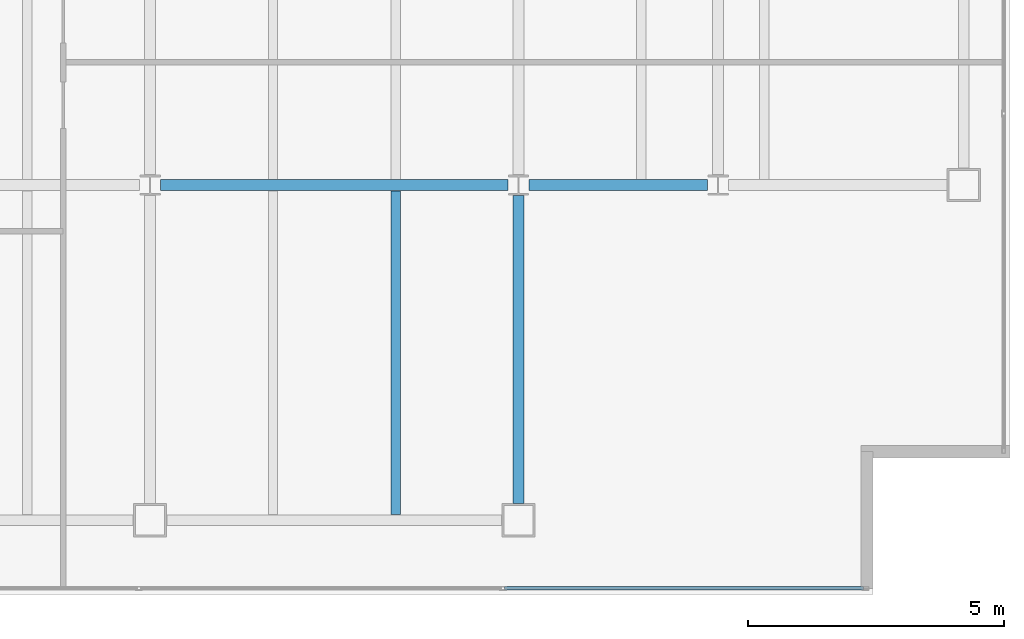
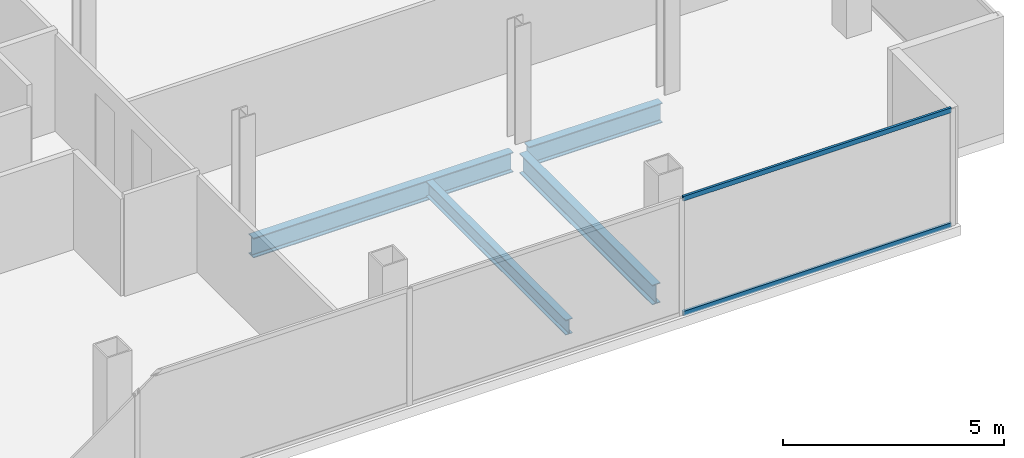
# One storey, part 13 of 23: 4 beams, 2 members, 1 element without a shape of its own.
"""IFC4 building model written with IfcOpenShell, lengths in metres."""

from ifc_helpers import new_model, si_unit, direction, frame, origin, origin_2d, place, context, subcontext, project, spatial, hollow_rectangle, i_section, extrude, material, material_profile, profile_set, type_object, element, aggregate, save


model = new_model("IFC4")

# Units and contexts
model_context = context("Model", 3, precision=1e-05, world=origin(), true_north=direction((0.0, 1.0)))
body_context = subcontext(model_context, "Body", "Model", "MODEL_VIEW")
ifc_project = project(units=[si_unit("LENGTHUNIT", "METRE"), si_unit("AREAUNIT", "SQUARE_METRE"), si_unit("VOLUMEUNIT", "CUBIC_METRE"), si_unit("PLANEANGLEUNIT", "RADIAN"), si_unit("MASSUNIT", "GRAM", prefix="KILO")], contexts=[model_context])

# Site, building, storey
site_placement = place(None, origin())
site = spatial("IfcSite", under=ifc_project, at=site_placement, CompositionType="ELEMENT")
building_placement = place(site_placement, origin())
building = spatial("IfcBuilding", under=site, at=building_placement, Name="Cobrela Telecom Tower", CompositionType="ELEMENT")
storey_placement = place(building_placement, frame((0.0, 0.0, 283.14990234375)))
storey = spatial("IfcBuildingStorey", under=building, at=storey_placement, Name="L74", CompositionType="ELEMENT", Elevation=283.14990234375)

# Beams
ifc_material_1 = material(Name="Steel ASTM A992 Grade 50", Category="steel")
ifc_material_profile_1 = material_profile(ifc_material_1, i_section(OverallWidth=0.212890625, OverallDepth=0.549072265625, WebThickness=0.0146484375, FlangeThickness=0.023681640625, FilletRadius=0.013916015625, at=origin_2d()), Name="W21X93")
ifc_profile_set_1 = profile_set([ifc_material_profile_1], Name="Steel ASTM A992 Grade 50")
beam_type_1 = type_object("IfcBeamType", Name="BM-GIRD-08", PredefinedType="USERDEFINED", material=ifc_profile_set_1)
beam_1_placement = place(storey_placement, frame((29.00439453125, 14.39990234375, -0.534423828125), z_axis=(1.0, 0.0, 0.0), x_axis=(0.0, 1.0, 0.0)))
element("IfcBeam", 1, at=beam_1_placement, inside=storey, type_object=beam_type_1, Name="L74 Primary Girder X07", ObjectType="GIRDER", PredefinedType="USERDEFINED", context=body_context, shape_type="SweptSolid", body=[
    extrude(i_section(OverallWidth=0.212890625, OverallDepth=0.549072265625, WebThickness=0.0146484375, FlangeThickness=0.023681640625, FilletRadius=0.013916015625, at=origin_2d()), origin(), (0.0, 0.0, 1.0), 6.791015625),
])
beam_2_placement = place(storey_placement, frame((36.20458984375, 14.39990234375, -0.534423828125), z_axis=(1.0, 0.0, 0.0), x_axis=(0.0, 1.0, 0.0)))
element("IfcBeam", 2, at=beam_2_placement, inside=storey, type_object=beam_type_1, Name="L74 Primary Girder X08", ObjectType="GIRDER", PredefinedType="USERDEFINED", context=body_context, shape_type="SweptSolid", body=[
    extrude(i_section(OverallWidth=0.212890625, OverallDepth=0.549072265625, WebThickness=0.0146484375, FlangeThickness=0.023681640625, FilletRadius=0.013916015625, at=origin_2d()), origin(), (0.0, 0.0, 1.0), 3.490966796875),
])
beam_3_placement = place(storey_placement, frame((36.0, 8.179931640625, -0.534423828125), z_axis=(0.0, 1.0, 0.0), x_axis=(-1.0, 0.0, 0.0)))
element("IfcBeam", 3, at=beam_3_placement, inside=storey, type_object=beam_type_1, Name="L74 Primary Girder Y31", ObjectType="GIRDER", PredefinedType="USERDEFINED", context=body_context, shape_type="SweptSolid", body=[
    extrude(i_section(OverallWidth=0.212890625, OverallDepth=0.549072265625, WebThickness=0.0146484375, FlangeThickness=0.023681640625, FilletRadius=0.013916015625, at=origin_2d()), origin(), (0.0, 0.0, 1.0), 6.015625),
])
ifc_material_profile_2 = material_profile(ifc_material_1, i_section(OverallWidth=0.179931640625, OverallDepth=0.4169921875, WebThickness=0.010986328125, FlangeThickness=0.01806640625, FilletRadius=0.011962890625, at=origin_2d()), Name="W16X57")
ifc_profile_set_2 = profile_set([ifc_material_profile_2], Name="Steel ASTM A992 Grade 50")
beam_type_2 = type_object("IfcBeamType", Name="BM-JOIST-04", PredefinedType="JOIST", material=ifc_profile_set_2)
beam_4_placement = place(storey_placement, frame((33.60009765625, 7.96142578125, -0.468505859375), z_axis=(0.0, 1.0, 0.0), x_axis=(-1.0, 0.0, 0.0)))
element("IfcBeam", 4, at=beam_4_placement, inside=storey, type_object=beam_type_2, Name="L74 Secondary Composite Floor Beam J13", PredefinedType="JOIST", context=body_context, shape_type="SweptSolid", body=[
    extrude(i_section(OverallWidth=0.179931640625, OverallDepth=0.4169921875, WebThickness=0.010986328125, FlangeThickness=0.01806640625, FilletRadius=0.011962890625, at=origin_2d()), origin(), (0.0, 0.0, 1.0), 6.3271484375),
])

# Curtain wall, members
ifc_material_2 = material(Name="Anodized Bronze Aluminium 6063-T6", Category="aluminium")
curtain_wall_type = type_object("IfcCurtainWallType", Name="CW-SYS-OFF-HI", PredefinedType="USERDEFINED", material=ifc_material_2)
curtain_wall_placement = place(storey_placement, origin())
curtain_wall = element("IfcCurtainWall", 5, at=curtain_wall_placement, inside=storey, type_object=curtain_wall_type, Name="L74 Unitised Bronze Curtain Wall 15", ObjectType="UNITISED CURTAIN WALL", PredefinedType="USERDEFINED")
ifc_material_profile_3 = material_profile(ifc_material_2, hollow_rectangle(XDim=0.06494140625, YDim=0.1298828125, WallThickness=0.00390625, at=origin_2d()), Name="ALU 65x130x4")
ifc_profile_set_3 = profile_set([ifc_material_profile_3], Name="Anodized Bronze Aluminium 6063-T6")
member_type = type_object("IfcMemberType", Name="CW-SYS-OFF-HI-TRN", PredefinedType="USERDEFINED", material=ifc_profile_set_3)
member_1_placement = place(storey_placement, frame((42.739990234375, 6.52001953125, 0.03271484375), z_axis=(-1.0, 0.0, 0.0), x_axis=(0.0, -1.0, 0.0)))
member_1 = element("IfcMember", 6, at=member_1_placement, type_object=member_type, Name="CW-OFF-HI transom 1.1", ObjectType="TRANSOM", PredefinedType="USERDEFINED", context=body_context, shape_type="SweptSolid", body=[
    extrude(hollow_rectangle(XDim=0.06494140625, YDim=0.1298828125, WallThickness=0.00390625, at=origin_2d()), origin(), (0.0, 0.0, 1.0), 7.010009765625),
])
member_2_placement = place(storey_placement, frame((42.739990234375, 6.52001953125, 3.20751953125), z_axis=(-1.0, 0.0, 0.0), x_axis=(0.0, -1.0, 0.0)))
member_2 = element("IfcMember", 7, at=member_2_placement, type_object=member_type, Name="CW-OFF-HI transom 1.2", ObjectType="TRANSOM", PredefinedType="USERDEFINED", context=body_context, shape_type="SweptSolid", body=[
    extrude(hollow_rectangle(XDim=0.06494140625, YDim=0.1298828125, WallThickness=0.00390625, at=origin_2d()), origin(), (0.0, 0.0, 1.0), 7.010009765625),
])
aggregate(curtain_wall, [member_1, member_2])

save(model, "model.ifc")
